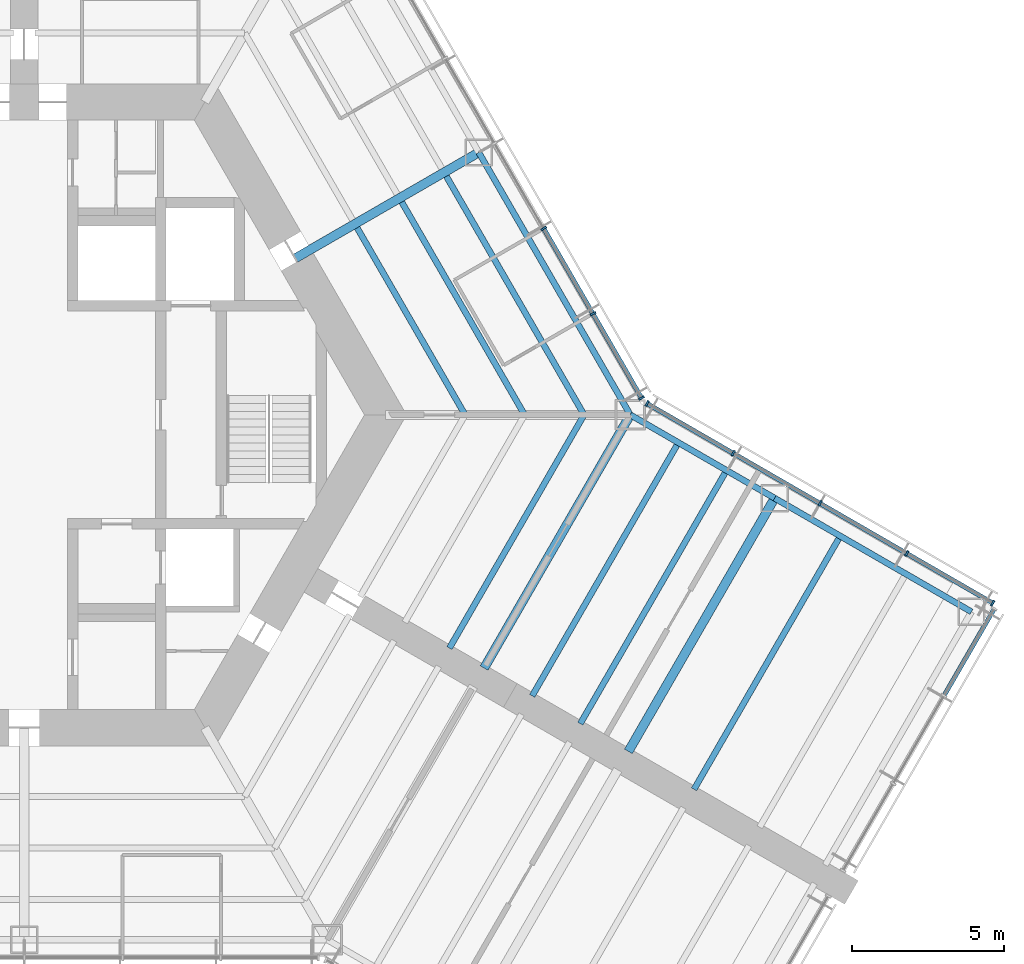
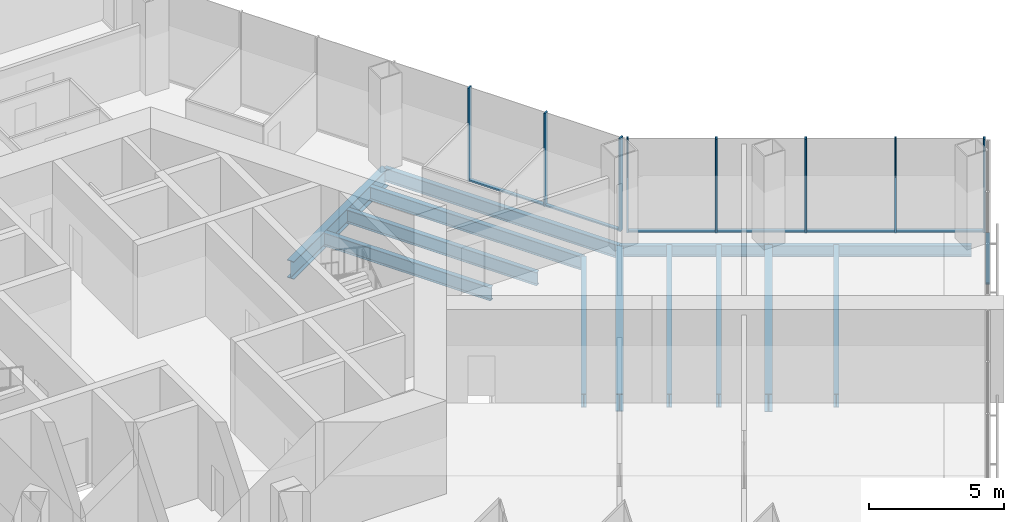
# One storey, part 5 of 17: 15 members, 13 beams, 3 elements without a shape of their own.
"""IFC4 building model written with IfcOpenShell, lengths in metres."""

from ifc_helpers import new_model, si_unit, direction, frame, origin, origin_2d, place, context, subcontext, project, spatial, rectangle, i_section, extrude, material, material_profile, profile_set, type_object, element, aggregate, save


model = new_model("IFC4")

# Units and contexts
model_context = context("Model", 3, precision=1e-05, world=origin(), true_north=direction((0.0, 1.0)))
body_context = subcontext(model_context, "Body", "Model", "MODEL_VIEW")
ifc_project = project(units=[si_unit("LENGTHUNIT", "METRE"), si_unit("AREAUNIT", "SQUARE_METRE"), si_unit("VOLUMEUNIT", "CUBIC_METRE"), si_unit("PLANEANGLEUNIT", "RADIAN"), si_unit("MASSUNIT", "GRAM", prefix="KILO")], contexts=[model_context])

# Site, building, storey
site_placement = place(None, origin())
site = spatial("IfcSite", under=ifc_project, at=site_placement, CompositionType="ELEMENT")
building_placement = place(site_placement, origin())
building = spatial("IfcBuilding", under=site, at=building_placement, Name="Kasaneha Research Tower", CompositionType="ELEMENT")
storey_placement = place(building_placement, frame((0.0, 0.0, 47.800048828125)))
storey = spatial("IfcBuildingStorey", under=building, at=storey_placement, Name="L12", CompositionType="ELEMENT", Elevation=47.800048828125)

# Beams
ifc_material_1 = material(Name="Steel SN490B", Category="steel")
ifc_material_profile_1 = material_profile(ifc_material_1, i_section(OverallWidth=0.199951171875, OverallDepth=0.60009765625, WebThickness=0.010986328125, FlangeThickness=0.01708984375, FilletRadius=0.012939453125, at=origin_2d()), Name="H-600x200x11x17")
ifc_profile_set_1 = profile_set([ifc_material_profile_1], Name="Steel SN490B")
beam_type_1 = type_object("IfcBeamType", Name="B1-2 secondary beam H-600x200x11x17", PredefinedType="JOIST", material=ifc_profile_set_1)
beam_1_placement = place(storey_placement, frame((14.54931640625, 0.0, -0.469970703125), z_axis=(-0.500016104636, 0.866016105569, 0.0), x_axis=(-0.866016105569, -0.500016104636, 0.0)))
element("IfcBeam", 1, at=beam_1_placement, inside=storey, type_object=beam_type_1, Name="Secondary beam RS030L1 L12", PredefinedType="JOIST", context=body_context, shape_type="SweptSolid", body=[
    extrude(i_section(OverallWidth=0.199951171875, OverallDepth=0.60009765625, WebThickness=0.010986328125, FlangeThickness=0.01708984375, FilletRadius=0.012939453125, at=origin_2d()), origin(), (0.0, 0.0, 1.0), 7.124755859375),
])
beam_2_placement = place(storey_placement, frame((16.51220703125, 0.0, -0.469970703125), z_axis=(-0.49999707157, 0.866027094508, 0.0), x_axis=(-0.866027094508, -0.49999707157, 0.0)))
element("IfcBeam", 2, at=beam_2_placement, inside=storey, type_object=beam_type_1, Name="Secondary beam RS030L2 L12", PredefinedType="JOIST", context=body_context, shape_type="SweptSolid", body=[
    extrude(i_section(OverallWidth=0.199951171875, OverallDepth=0.60009765625, WebThickness=0.010986328125, FlangeThickness=0.01708984375, FilletRadius=0.012939453125, at=origin_2d()), origin(), (0.0, 0.0, 1.0), 8.10595703125),
])
beam_3_placement = place(storey_placement, frame((18.47509765625, 0.0, -0.469970703125), z_axis=(-0.499990665392, 0.866030793056, 0.0), x_axis=(-0.866030793056, -0.499990665392, 0.0)))
element("IfcBeam", 3, at=beam_3_placement, inside=storey, type_object=beam_type_1, Name="Secondary beam RS030L3 L12", PredefinedType="JOIST", context=body_context, shape_type="SweptSolid", body=[
    extrude(i_section(OverallWidth=0.199951171875, OverallDepth=0.60009765625, WebThickness=0.010986328125, FlangeThickness=0.01708984375, FilletRadius=0.012939453125, at=origin_2d()), origin(), (0.0, 0.0, 1.0), 9.087646484375),
])
beam_4_placement = place(storey_placement, frame((18.47509765625, 0.0, -0.469970703125), z_axis=(-0.499988779951, -0.866031881586, 0.0), x_axis=(0.866031881586, -0.499988779951, 0.0)))
element("IfcBeam", 4, at=beam_4_placement, inside=storey, type_object=beam_type_1, Name="Secondary beam RS330R3 L12", PredefinedType="JOIST", context=body_context, shape_type="SweptSolid", body=[
    extrude(i_section(OverallWidth=0.199951171875, OverallDepth=0.60009765625, WebThickness=0.010986328125, FlangeThickness=0.01708984375, FilletRadius=0.012939453125, at=origin_2d()), origin(), (0.0, 0.0, 1.0), 8.887451171875),
])
ifc_material_2 = material(Name="Steel SN490B", Category="steel")
ifc_material_profile_2 = material_profile(ifc_material_2, i_section(OverallWidth=0.198974609375, OverallDepth=0.595947265625, WebThickness=0.010009765625, FlangeThickness=0.014892578125, FilletRadius=0.012939453125, at=origin_2d()), Name="H-596x199x10x15")
ifc_profile_set_2 = profile_set([ifc_material_profile_2], Name="Steel SN490B")
beam_type_2 = type_object("IfcBeamType", Name="B2-2 secondary beam H-596x199x10x15", PredefinedType="JOIST", material=ifc_profile_set_2)
beam_5_placement = place(storey_placement, frame((21.587646484375, -0.916748046875, -0.468017578125), z_axis=(-0.499994742786, -0.866028439017, 0.0), x_axis=(0.866028439017, -0.499994742786, 0.0)))
element("IfcBeam", 5, at=beam_5_placement, inside=storey, type_object=beam_type_2, Name="Secondary beam WBCN1 L12", PredefinedType="JOIST", context=body_context, shape_type="SweptSolid", body=[
    extrude(i_section(OverallWidth=0.198974609375, OverallDepth=0.595947265625, WebThickness=0.010009765625, FlangeThickness=0.014892578125, FilletRadius=0.012939453125, at=origin_2d()), origin(), (0.0, 0.0, 1.0), 9.64990234375),
])
beam_6_placement = place(storey_placement, frame((23.175537109375, -1.833251953125, -0.468017578125), z_axis=(-0.500013717211, -0.866017484004, 0.0), x_axis=(0.866017484004, -0.500013717211, 0.0)))
element("IfcBeam", 6, at=beam_6_placement, inside=storey, type_object=beam_type_2, Name="Secondary beam WBCN2 L12", PredefinedType="JOIST", context=body_context, shape_type="SweptSolid", body=[
    extrude(i_section(OverallWidth=0.198974609375, OverallDepth=0.595947265625, WebThickness=0.010009765625, FlangeThickness=0.014892578125, FilletRadius=0.012939453125, at=origin_2d()), origin(), (0.0, 0.0, 1.0), 9.650146484375),
])
beam_7_placement = place(storey_placement, frame((26.92822265625, -4.0, -0.468017578125), z_axis=(-0.499994742786, -0.866028439017, 0.0), x_axis=(0.866028439017, -0.499994742786, 0.0)))
element("IfcBeam", 7, at=beam_7_placement, inside=storey, type_object=beam_type_2, Name="Secondary beam WBCN3 L12", PredefinedType="JOIST", context=body_context, shape_type="SweptSolid", body=[
    extrude(i_section(OverallWidth=0.198974609375, OverallDepth=0.595947265625, WebThickness=0.010009765625, FlangeThickness=0.014892578125, FilletRadius=0.012939453125, at=origin_2d()), origin(), (0.0, 0.0, 1.0), 9.64990234375),
])

# Curtain wall, members
ifc_material_3 = material(Name="Glass and aluminium", Category="aluminium")
curtain_wall_type = type_object("IfcCurtainWallType", Name="Dry laboratory curtain wall", PredefinedType="USERDEFINED", material=ifc_material_3)
curtain_wall_1_placement = place(storey_placement, origin())
curtain_wall_1 = element("IfcCurtainWall", 8, at=curtain_wall_1_placement, inside=storey, type_object=curtain_wall_type, Name="CW-L2 L12 run 06a", ObjectType="UNITISED CURTAIN WALL", PredefinedType="USERDEFINED")
ifc_material_4 = material(Name="Aluminium 6063-T6", Category="aluminium")
ifc_material_profile_3 = material_profile(ifc_material_4, rectangle(XDim=0.06494140625, YDim=0.199951171875, at=origin_2d()), Name="CW-L2 mullion 65x200")
ifc_profile_set_3 = profile_set([ifc_material_profile_3], Name="Aluminium 6063-T6")
member_type_1 = type_object("IfcMemberType", Name="CW-L2 mullion", PredefinedType="MULLION", material=ifc_profile_set_3)
member_1_placement = place(storey_placement, frame((31.963134765625, -6.214111328125, 0.0), z_axis=(0.0, 0.0, 1.0), x_axis=(-0.866025411464, 0.499999986699, 0.0)))
member_1 = element("IfcMember", 9, at=member_1_placement, type_object=member_type_1, Name="CW-L2 mullion 1", PredefinedType="MULLION", context=body_context, shape_type="SweptSolid", body=[
    extrude(rectangle(XDim=0.06494140625, YDim=0.199951171875, at=origin_2d()), origin(), (0.0, 0.0, 1.0), 4.199951171875),
])
member_2_placement = place(storey_placement, frame((29.125, -4.575439453125, 0.0), z_axis=(0.0, 0.0, 1.0), x_axis=(-0.866025411464, 0.499999986699, 0.0)))
member_2 = element("IfcMember", 10, at=member_2_placement, type_object=member_type_1, Name="CW-L2 mullion 2", PredefinedType="MULLION", context=body_context, shape_type="SweptSolid", body=[
    extrude(rectangle(XDim=0.06494140625, YDim=0.199951171875, at=origin_2d()), origin(), (0.0, 0.0, 1.0), 4.199951171875),
])
member_3_placement = place(storey_placement, frame((26.258544921875, -2.920654296875, 0.0), z_axis=(0.0, 0.0, 1.0), x_axis=(-0.866025411464, 0.499999986699, 0.0)))
member_3 = element("IfcMember", 11, at=member_3_placement, type_object=member_type_1, Name="CW-L2 mullion 3", PredefinedType="MULLION", context=body_context, shape_type="SweptSolid", body=[
    extrude(rectangle(XDim=0.06494140625, YDim=0.199951171875, at=origin_2d()), origin(), (0.0, 0.0, 1.0), 4.199951171875),
])
member_4_placement = place(storey_placement, frame((23.39208984375, -1.265625, 0.0), z_axis=(0.0, 0.0, 1.0), x_axis=(-0.866025411464, 0.499999986699, 0.0)))
member_4 = element("IfcMember", 12, at=member_4_placement, type_object=member_type_1, Name="CW-L2 mullion 4", PredefinedType="MULLION", context=body_context, shape_type="SweptSolid", body=[
    extrude(rectangle(XDim=0.06494140625, YDim=0.199951171875, at=origin_2d()), origin(), (0.0, 0.0, 1.0), 4.199951171875),
])
member_5_placement = place(storey_placement, frame((20.553955078125, 0.373046875, 0.0), z_axis=(0.0, 0.0, 1.0), x_axis=(-0.866025411464, 0.499999986699, 0.0)))
member_5 = element("IfcMember", 13, at=member_5_placement, type_object=member_type_1, Name="CW-L2 mullion 5", PredefinedType="MULLION", context=body_context, shape_type="SweptSolid", body=[
    extrude(rectangle(XDim=0.06494140625, YDim=0.199951171875, at=origin_2d()), origin(), (0.0, 0.0, 1.0), 4.199951171875),
])

curtain_wall_2_placement = place(storey_placement, origin())
curtain_wall_2 = element("IfcCurtainWall", 14, at=curtain_wall_2_placement, inside=storey, type_object=curtain_wall_type, Name="CW-L2 L12 run 07a", ObjectType="UNITISED CURTAIN WALL", PredefinedType="USERDEFINED")
member_6_placement = place(storey_placement, frame((20.373046875, 0.553955078125, 0.0), z_axis=(0.0, 0.0, 1.0), x_axis=(-0.49999996188, 0.866025425793, 0.0)))
member_6 = element("IfcMember", 15, at=member_6_placement, type_object=member_type_1, Name="CW-L2 mullion 1", PredefinedType="MULLION", context=body_context, shape_type="SweptSolid", body=[
    extrude(rectangle(XDim=0.06494140625, YDim=0.199951171875, at=origin_2d()), origin(), (0.0, 0.0, 1.0), 4.199951171875),
])
member_7_placement = place(storey_placement, frame((18.76611328125, 3.33740234375, 0.0), z_axis=(0.0, 0.0, 1.0), x_axis=(-0.49999996188, 0.866025425793, 0.0)))
member_7 = element("IfcMember", 16, at=member_7_placement, type_object=member_type_1, Name="CW-L2 mullion 2", PredefinedType="MULLION", context=body_context, shape_type="SweptSolid", body=[
    extrude(rectangle(XDim=0.06494140625, YDim=0.199951171875, at=origin_2d()), origin(), (0.0, 0.0, 1.0), 4.199951171875),
])
member_8_placement = place(storey_placement, frame((17.142822265625, 6.148681640625, 0.0), z_axis=(0.0, 0.0, 1.0), x_axis=(-0.49999996188, 0.866025425793, 0.0)))
member_8 = element("IfcMember", 17, at=member_8_placement, type_object=member_type_1, Name="CW-L2 mullion 3", PredefinedType="MULLION", context=body_context, shape_type="SweptSolid", body=[
    extrude(rectangle(XDim=0.06494140625, YDim=0.199951171875, at=origin_2d()), origin(), (0.0, 0.0, 1.0), 4.199951171875),
])

# Curtain wall, member
curtain_wall_3_placement = place(storey_placement, origin())
curtain_wall_3 = element("IfcCurtainWall", 18, at=curtain_wall_3_placement, inside=storey, type_object=curtain_wall_type, Name="CW-L2 L12 run 05a", ObjectType="UNITISED CURTAIN WALL", PredefinedType="USERDEFINED")
ifc_material_5 = material(Name="Aluminium 6063-T6", Category="aluminium")
ifc_material_profile_4 = material_profile(ifc_material_5, rectangle(XDim=0.14990234375, YDim=0.06494140625, at=origin_2d()), Name="CW-L2 transom 150x65")
ifc_profile_set_4 = profile_set([ifc_material_profile_4], Name="Aluminium 6063-T6")
member_type_2 = type_object("IfcMemberType", Name="CW-L2 transom", PredefinedType="USERDEFINED", material=ifc_profile_set_4)
member_9_placement = place(storey_placement, frame((30.369140625, -9.239990234375, 0.032470703125), z_axis=(0.500006189695, 0.866021830133, 0.0), x_axis=(-0.866021830133, 0.500006189695, 0.0)))
member_9 = element("IfcMember", 19, at=member_9_placement, type_object=member_type_2, Name="CW-L2 transom 3", ObjectType="TRANSOM", PredefinedType="USERDEFINED", context=body_context, shape_type="SweptSolid", body=[
    extrude(rectangle(XDim=0.14990234375, YDim=0.06494140625, at=origin_2d()), origin(), (0.0, 0.0, 1.0), 3.25244140625),
])
aggregate(curtain_wall_3, [member_9])

# Member
member_10_placement = place(storey_placement, frame((31.93505859375, -6.197998046875, 0.032470703125), z_axis=(-0.866022320763, 0.500005339912, 0.0), x_axis=(-0.500005339912, -0.866022320763, 0.0)))
member_10 = element("IfcMember", 20, at=member_10_placement, type_object=member_type_2, Name="CW-L2 transom 1", ObjectType="TRANSOM", PredefinedType="USERDEFINED", context=body_context, shape_type="SweptSolid", body=[
    extrude(rectangle(XDim=0.14990234375, YDim=0.06494140625, at=origin_2d()), origin(), (0.0, 0.0, 1.0), 3.21240234375),
])

member_11_placement = place(storey_placement, frame((29.096923828125, -4.559326171875, 0.032470703125), z_axis=(-0.866021460221, 0.500006830391, 0.0), x_axis=(-0.500006830391, -0.866021460221, 0.0)))
member_11 = element("IfcMember", 21, at=member_11_placement, type_object=member_type_2, Name="CW-L2 transom 2", ObjectType="TRANSOM", PredefinedType="USERDEFINED", context=body_context, shape_type="SweptSolid", body=[
    extrude(rectangle(XDim=0.14990234375, YDim=0.06494140625, at=origin_2d()), origin(), (0.0, 0.0, 1.0), 3.2451171875),
])

member_12_placement = place(storey_placement, frame((26.23046875, -2.904296875, 0.032470703125), z_axis=(-0.866035229914, 0.499982980259, 0.0), x_axis=(-0.499982980259, -0.866035229914, 0.0)))
member_12 = element("IfcMember", 22, at=member_12_placement, type_object=member_type_2, Name="CW-L2 transom 3", ObjectType="TRANSOM", PredefinedType="USERDEFINED", context=body_context, shape_type="SweptSolid", body=[
    extrude(rectangle(XDim=0.14990234375, YDim=0.06494140625, at=origin_2d()), origin(), (0.0, 0.0, 1.0), 3.24462890625),
])

member_13_placement = place(storey_placement, frame((23.364013671875, -1.24951171875, 0.032470703125), z_axis=(-0.866022320763, 0.500005339912, 0.0), x_axis=(-0.500005339912, -0.866022320763, 0.0)))
member_13 = element("IfcMember", 23, at=member_13_placement, type_object=member_type_2, Name="CW-L2 transom 4", ObjectType="TRANSOM", PredefinedType="USERDEFINED", context=body_context, shape_type="SweptSolid", body=[
    extrude(rectangle(XDim=0.14990234375, YDim=0.06494140625, at=origin_2d()), origin(), (0.0, 0.0, 1.0), 3.21240234375),
])

aggregate(curtain_wall_1, [member_1, member_2, member_3, member_4, member_5, member_10, member_11, member_12, member_13])

member_14_placement = place(storey_placement, frame((20.356689453125, 0.58203125, 0.032470703125), z_axis=(-0.49999985423, 0.866025487945, 0.0), x_axis=(-0.866025487945, -0.49999985423, 0.0)))
member_14 = element("IfcMember", 24, at=member_14_placement, type_object=member_type_2, Name="CW-L2 transom 1", ObjectType="TRANSOM", PredefinedType="USERDEFINED", context=body_context, shape_type="SweptSolid", body=[
    extrude(rectangle(XDim=0.14990234375, YDim=0.06494140625, at=origin_2d()), origin(), (0.0, 0.0, 1.0), 3.14892578125),
])

member_15_placement = place(storey_placement, frame((18.749755859375, 3.365478515625, 0.032470703125), z_axis=(-0.499977104415, 0.866038622153, 0.0), x_axis=(-0.866038622153, -0.499977104415, 0.0)))
member_15 = element("IfcMember", 25, at=member_15_placement, type_object=member_type_2, Name="CW-L2 transom 2", ObjectType="TRANSOM", PredefinedType="USERDEFINED", context=body_context, shape_type="SweptSolid", body=[
    extrude(rectangle(XDim=0.14990234375, YDim=0.06494140625, at=origin_2d()), origin(), (0.0, 0.0, 1.0), 3.181396484375),
])

aggregate(curtain_wall_2, [member_6, member_7, member_8, member_14, member_15])

# Beams
ifc_material_6 = material(Name="Steel SN490B", Category="steel")
ifc_material_profile_5 = material_profile(ifc_material_6, i_section(OverallWidth=0.300048828125, OverallDepth=0.800048828125, WebThickness=0.013916015625, FlangeThickness=0.02587890625, FilletRadius=0.01806640625, at=origin_2d()), Name="H-800x300x14x26")
ifc_profile_set_5 = profile_set([ifc_material_profile_5], Name="Steel SN490B")
beam_type_3 = type_object("IfcBeamType", Name="G2-2 radial girder H-800x300x14x26", PredefinedType="BEAM", material=ifc_profile_set_5)
beam_8_placement = place(storey_placement, frame((8.941650390625, 5.16259765625, -0.570068359375), z_axis=(0.866039713508, 0.499975214012, 0.0), x_axis=(-0.499975214012, 0.866039713508, 0.0)))
element("IfcBeam", 26, at=beam_8_placement, inside=storey, type_object=beam_type_3, Name="Radial girder RM030 L12", PredefinedType="BEAM", context=body_context, shape_type="SweptSolid", body=[
    extrude(i_section(OverallWidth=0.300048828125, OverallDepth=0.800048828125, WebThickness=0.013916015625, FlangeThickness=0.02587890625, FilletRadius=0.01806640625, at=origin_2d()), origin(), (0.0, 0.0, 1.0), 6.995361328125),
])
ifc_material_7 = material(Name="Steel SN490B", Category="steel")
ifc_material_profile_6 = material_profile(ifc_material_7, i_section(OverallWidth=0.300048828125, OverallDepth=0.7919921875, WebThickness=0.013916015625, FlangeThickness=0.02197265625, FilletRadius=0.01806640625, at=origin_2d()), Name="H-792x300x14x22")
ifc_profile_set_6 = profile_set([ifc_material_profile_6], Name="Steel SN490B")
beam_type_4 = type_object("IfcBeamType", Name="G3-2 plate edge girder H-792x300x14x22", PredefinedType="BEAM", material=ifc_profile_set_6)
beam_9_placement = place(storey_placement, frame((20.0, 0.0, -0.566162109375), z_axis=(-0.499994742786, -0.866028439017, 0.0), x_axis=(0.866028439017, -0.499994742786, 0.0)))
element("IfcBeam", 27, at=beam_9_placement, inside=storey, type_object=beam_type_4, Name="Plate edge girder PECN L12", PredefinedType="BEAM", context=body_context, shape_type="SweptSolid", body=[
    extrude(i_section(OverallWidth=0.300048828125, OverallDepth=0.7919921875, WebThickness=0.013916015625, FlangeThickness=0.02197265625, FilletRadius=0.01806640625, at=origin_2d()), origin(), (0.0, 0.0, 1.0), 9.64990234375),
])
ifc_material_8 = material(Name="Steel SN490B", Category="steel")
ifc_material_profile_7 = material_profile(ifc_material_8, i_section(OverallWidth=0.300048828125, OverallDepth=0.800048828125, WebThickness=0.013916015625, FlangeThickness=0.02587890625, FilletRadius=0.01806640625, at=origin_2d()), Name="H-800x300x14x26")
ifc_profile_set_7 = profile_set([ifc_material_profile_7], Name="Steel SN490B")
beam_type_5 = type_object("IfcBeamType", Name="G4-2 wing girder H-800x300x14x26", PredefinedType="BEAM", material=ifc_profile_set_7)
beam_10_placement = place(storey_placement, frame((24.76318359375, -2.75, -0.570068359375), z_axis=(-0.499994742786, -0.866028439017, 0.0), x_axis=(0.866028439017, -0.499994742786, 0.0)))
element("IfcBeam", 28, at=beam_10_placement, inside=storey, type_object=beam_type_5, Name="Wing girder WGCN L12", PredefinedType="BEAM", context=body_context, shape_type="SweptSolid", body=[
    extrude(i_section(OverallWidth=0.300048828125, OverallDepth=0.800048828125, WebThickness=0.013916015625, FlangeThickness=0.02587890625, FilletRadius=0.01806640625, at=origin_2d()), origin(), (0.0, 0.0, 1.0), 9.64990234375),
])
ifc_material_9 = material(Name="Steel SN490B", Category="steel")
ifc_material_profile_8 = material_profile(ifc_material_9, i_section(OverallWidth=0.199951171875, OverallDepth=0.60009765625, WebThickness=0.010986328125, FlangeThickness=0.01708984375, FilletRadius=0.012939453125, at=origin_2d()), Name="H-600x200x11x17")
ifc_profile_set_8 = profile_set([ifc_material_profile_8], Name="Steel SN490B")
beam_type_6 = type_object("IfcBeamType", Name="SB1-2 spandrel beam H-600x200x11x17", PredefinedType="SPANDREL", material=ifc_profile_set_8)
beam_11_placement = place(storey_placement, frame((20.0, 0.0, -0.469970703125), z_axis=(-0.500004234368, 0.866022959057, 0.0), x_axis=(-0.866022959057, -0.500004234368, 0.0)))
element("IfcBeam", 29, at=beam_11_placement, inside=storey, type_object=beam_type_6, Name="Spandrel beam SR030L L12", PredefinedType="SPANDREL", context=body_context, shape_type="SweptSolid", body=[
    extrude(i_section(OverallWidth=0.199951171875, OverallDepth=0.60009765625, WebThickness=0.010986328125, FlangeThickness=0.01708984375, FilletRadius=0.012939453125, at=origin_2d()), origin(), (0.0, 0.0, 1.0), 10.0),
])
ifc_material_10 = material(Name="Steel SN490B", Category="steel")
ifc_material_profile_9 = material_profile(ifc_material_10, i_section(OverallWidth=0.199951171875, OverallDepth=0.5, WebThickness=0.010009765625, FlangeThickness=0.01611328125, FilletRadius=0.012939453125, at=origin_2d()), Name="H-500x200x10x16")
ifc_profile_set_9 = profile_set([ifc_material_profile_9], Name="Steel SN490B")
beam_type_7 = type_object("IfcBeamType", Name="SB2-2 spandrel beam H-500x200x10x16", PredefinedType="SPANDREL", material=ifc_profile_set_9)
beam_12_placement = place(storey_placement, frame((20.0, 0.0, -0.420166015625), z_axis=(0.866027397988, -0.499996545922, 0.0), x_axis=(0.499996545922, 0.866027397988, 0.0)))
element("IfcBeam", 30, at=beam_12_placement, inside=storey, type_object=beam_type_7, Name="Spandrel beam WSCN1 L12", PredefinedType="SPANDREL", context=body_context, shape_type="SweptSolid", body=[
    extrude(i_section(OverallWidth=0.199951171875, OverallDepth=0.5, WebThickness=0.010009765625, FlangeThickness=0.01611328125, FilletRadius=0.012939453125, at=origin_2d()), origin(), (0.0, 0.0, 1.0), 5.5),
])
beam_13_placement = place(storey_placement, frame((24.76318359375, -2.75, -0.420166015625), z_axis=(0.866022959057, -0.500004234368, 0.0), x_axis=(0.500004234368, 0.866022959057, 0.0)))
element("IfcBeam", 31, at=beam_13_placement, inside=storey, type_object=beam_type_7, Name="Spandrel beam WSCN2 L12", PredefinedType="SPANDREL", context=body_context, shape_type="SweptSolid", body=[
    extrude(i_section(OverallWidth=0.199951171875, OverallDepth=0.5, WebThickness=0.010009765625, FlangeThickness=0.01611328125, FilletRadius=0.012939453125, at=origin_2d()), origin(), (0.0, 0.0, 1.0), 7.5),
])

save(model, "model.ifc")
